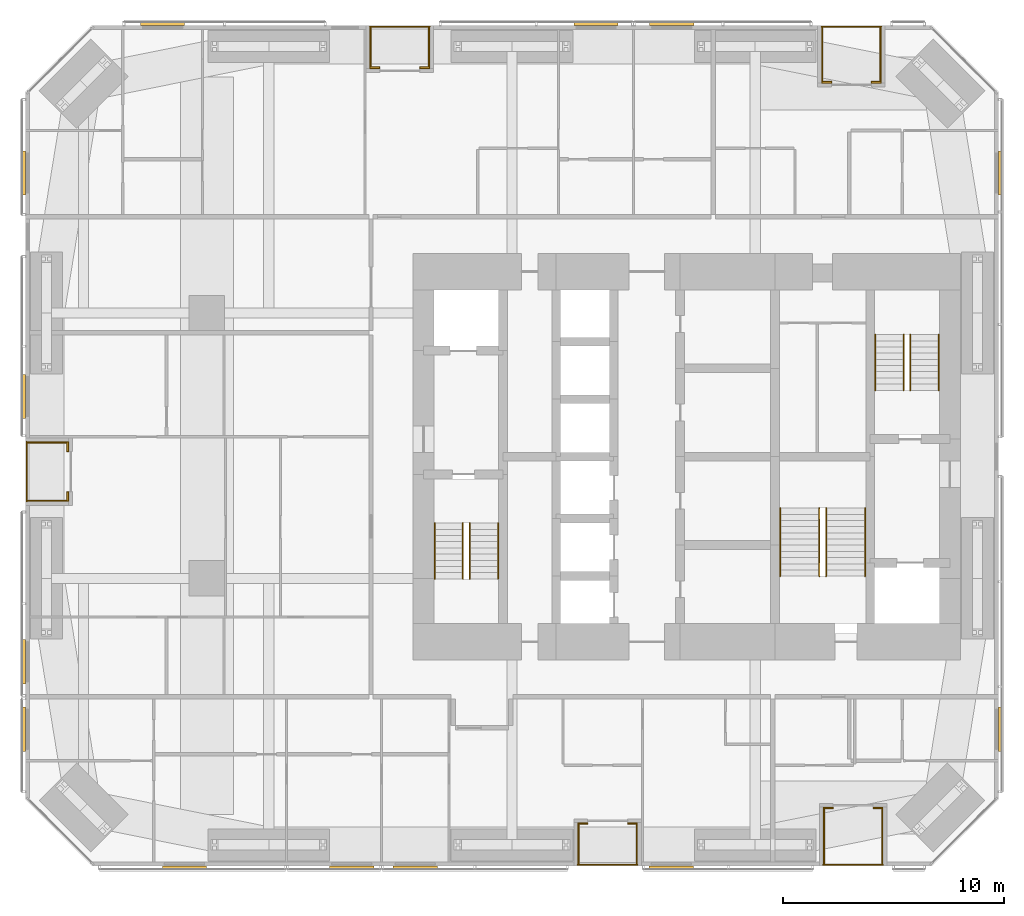
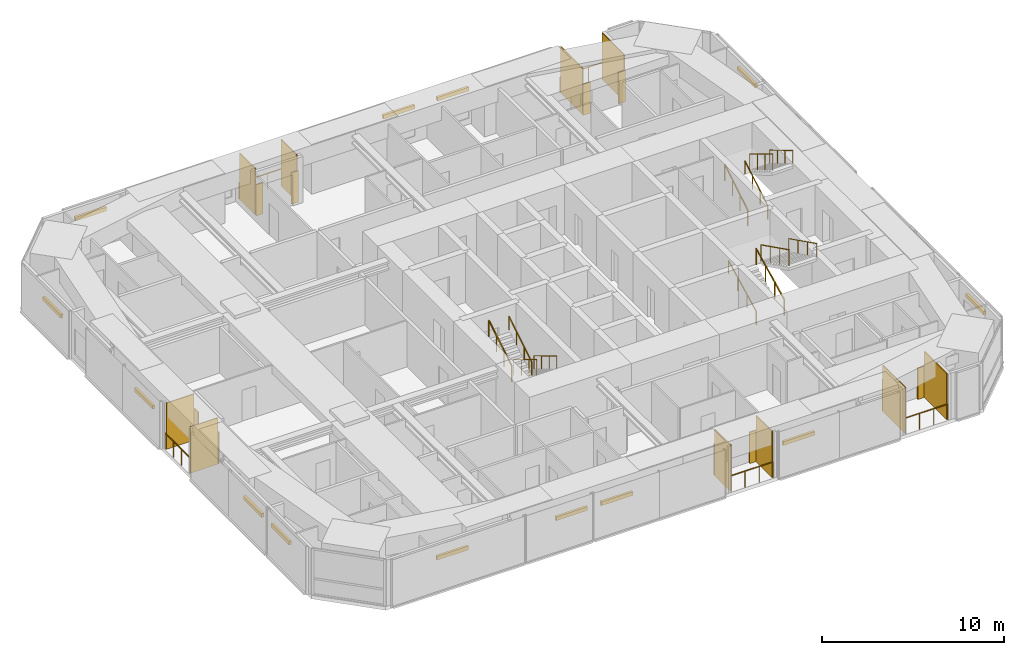
# One storey, part 24 of 24: 33 shading devices, 17 railings.
"""IFC4 building model written with IfcOpenShell, lengths in metres."""

import ifcopenshell
import ifcopenshell.guid

model = None  # the IFC model being written
_history = None  # IfcOwnerHistory: only IFC2X3 demands one
_inside = {}  # id of a spatial element -> (the spatial element, [elements in it])
_under = {}  # id of a project, library or spatial element -> (it, [spatial elements below it])
_declared = {}  # id of a project -> (the project, [libraries it declares])
_typed = {}  # id of a type object -> (the type object, [elements of that type])
_made_of = {}  # id of a material, layer set ... -> (it, [elements and type objects made of it])


def new_model(schema):
    """Start an empty IFC model of exactly this schema.

    Asked for "IFC4X3", IfcOpenShell would pick the latest addendum, in which some entities
    have other attributes; the version numbers below select the first issue.
    IFC2X3 requires an IfcOwnerHistory on every rooted entity: one is made here for all.
    """
    global model, _history
    if schema == "IFC4X3":
        model = ifcopenshell.file(schema_version=(4, 3, 0, 0))
    else:
        model = ifcopenshell.file(schema=schema)
    _inside.clear()
    _under.clear()
    _declared.clear()
    _typed.clear()
    _made_of.clear()
    _history = None
    if model.schema == "IFC2X3":
        org = make("IfcOrganization", Name="unknown")
        user = make(
            "IfcPersonAndOrganization",
            ThePerson=make("IfcPerson", FamilyName="unknown"),
            TheOrganization=org,
        )
        app = make(
            "IfcApplication",
            ApplicationDeveloper=org,
            Version="unknown",
            ApplicationFullName="unknown",
            ApplicationIdentifier="unknown",
        )
        _history = make(
            "IfcOwnerHistory",
            OwningUser=user,
            OwningApplication=app,
            ChangeAction="ADDED",
            CreationDate=0,
        )
    return model


def make(cls, **values):
    """One entity of the class cls with the attributes given. An attribute that is None is left unset."""
    return model.create_entity(
        cls, **{name: value for name, value in values.items() if value is not None}
    )


def rooted(cls, **values):
    """An entity with a GlobalId (a new one), such as an element, a storey or a relation."""
    return make(cls, GlobalId=ifcopenshell.guid.new(), OwnerHistory=_history, **values)


def si_unit(unit_type, name, prefix=None):
    """IfcSIUnit, for example si_unit("LENGTHUNIT", "METRE", prefix="MILLI")."""
    return make("IfcSIUnit", UnitType=unit_type, Prefix=prefix, Name=name)


def assignment(units):
    """IfcUnitAssignment: the units of a project."""
    return None if units is None else make("IfcUnitAssignment", Units=units)


def point(xyz):
    """IfcCartesianPoint."""
    return None if xyz is None else make("IfcCartesianPoint", Coordinates=xyz)


def direction(xyz):
    """IfcDirection."""
    return None if xyz is None else make("IfcDirection", DirectionRatios=xyz)


def frame(location, z_axis=None, x_axis=None):
    """IfcAxis2Placement3D, a coordinate frame: its origin and axes. An axis left out is left unset."""
    return make(
        "IfcAxis2Placement3D",
        Location=point(location),
        Axis=direction(z_axis),
        RefDirection=direction(x_axis),
    )


def frame_2d(location, x_axis=None):
    """IfcAxis2Placement2D, a coordinate frame in the plane: its origin and x axis."""
    return make(
        "IfcAxis2Placement2D", Location=point(location), RefDirection=direction(x_axis)
    )


def origin():
    """The frame at (0, 0, 0) with its axes left unset."""
    return frame((0.0, 0.0, 0.0))


def origin_2d():
    """The frame at (0, 0) in the plane with its x axis left unset."""
    return frame_2d((0.0, 0.0))


def place(relative_to, where):
    """IfcLocalPlacement: puts the frame where relative to a parent placement (None: the world)."""
    return make(
        "IfcLocalPlacement", PlacementRelTo=relative_to, RelativePlacement=where
    )


def context(
    kind, dimensions, precision=None, world=None, true_north=None, identifier=None
):
    """IfcGeometricRepresentationContext, for example the 3D "Model" context."""
    return make(
        "IfcGeometricRepresentationContext",
        ContextIdentifier=identifier,
        ContextType=kind,
        CoordinateSpaceDimension=dimensions,
        Precision=precision,
        WorldCoordinateSystem=world,
        TrueNorth=true_north,
    )


def subcontext(parent, identifier, kind, view, scale=None):
    """IfcGeometricRepresentationSubContext, for example "Body" below "Model"."""
    return make(
        "IfcGeometricRepresentationSubContext",
        ContextIdentifier=identifier,
        ContextType=kind,
        ParentContext=parent,
        TargetScale=scale,
        TargetView=view,
    )


def project(units=None, contexts=None):
    """IfcProject with its units and contexts."""
    return rooted(
        "IfcProject",
        Name="project",
        RepresentationContexts=contexts,
        UnitsInContext=assignment(units),
    )


def spatial(cls, under=None, at=None, **own):
    """A site, building, storey or space (cls), placed at a placement, below another one or the project."""
    s = rooted(cls, ObjectPlacement=at, **own)
    if under is not None:
        _under.setdefault(under.id(), (under, []))[1].append(s)
    return s


def profile(cls, at=None, kind="AREA", **sizes):
    """A parametric profile (cls). Its sizes go by their IFC names, for example OverallWidth=200.0."""
    return make(cls, ProfileType=kind, Position=at, **sizes)


def rectangle(**sizes):
    """IfcRectangleProfileDef."""
    return profile("IfcRectangleProfileDef", **sizes)


def circle(**sizes):
    """IfcCircleProfileDef."""
    return profile("IfcCircleProfileDef", **sizes)


def extrude(swept, where, along, depth):
    """IfcExtrudedAreaSolid: the profile swept, set in the frame where, extruded along a direction by depth."""
    return make(
        "IfcExtrudedAreaSolid",
        SweptArea=swept,
        Position=where,
        ExtrudedDirection=direction(along),
        Depth=depth,
    )


def shape(context_of_items, identifier, shape_type, items):
    """IfcShapeRepresentation: the items that make up one representation, for example the "Body"."""
    return make(
        "IfcShapeRepresentation",
        ContextOfItems=context_of_items,
        RepresentationIdentifier=identifier,
        RepresentationType=shape_type,
        Items=items,
    )


def material(Name=None, Category=None):
    """IfcMaterial."""
    return make("IfcMaterial", Name=Name, Category=Category)


def layer(
    of_material, thickness, ventilated=None, Name=None, Category=None, Priority=None
):
    """IfcMaterialLayer: one layer of a wall or slab, of a material (None: an air gap)."""
    return make(
        "IfcMaterialLayer",
        Material=of_material,
        LayerThickness=thickness,
        IsVentilated=ventilated,
        Name=Name,
        Category=Category,
        Priority=Priority,
    )


def layer_set(layers, Name=None):
    """IfcMaterialLayerSet."""
    return make("IfcMaterialLayerSet", MaterialLayers=layers, LayerSetName=Name)


def constituent(of_material, Name=None, Category=None, fraction=None):
    """IfcMaterialConstituent: one of the materials an element consists of."""
    return make(
        "IfcMaterialConstituent",
        Name=Name,
        Material=of_material,
        Fraction=fraction,
        Category=Category,
    )


def constituent_set(constituents=None, Name=None):
    """IfcMaterialConstituentSet."""
    return make(
        "IfcMaterialConstituentSet", Name=Name, MaterialConstituents=constituents
    )


def made_of(thing, what):
    """Note that an element or type object is made of a material, layer set ...; save() writes the relation."""
    if what is not None:
        _made_of.setdefault(what.id(), (what, []))[1].append(thing)
    return thing


def type_object(cls, material=None, **own):
    """A type object (cls), such as IfcWallType, which elements share."""
    return made_of(rooted(cls, **own), material)


def element(
    cls,
    number,
    at=None,
    inside=None,
    cuts=None,
    type_object=None,
    material=None,
    context=None,
    identifier="Body",
    shape_type=None,
    held_by="IfcProductDefinitionShape",
    body=None,
    shapes=None,
    **own,
):
    """One element of the class cls, such as IfcWall. Its Tag is "e" and its number.

    at: its placement. inside: the storey or other place that contains it. cuts: it is an
    opening in that element (IfcRelVoidsElement). A single representation is given by context,
    identifier, shape_type and body (its items); several are given by shapes. held_by: the class
    of the entity that holds the representations. save() writes the other relations.
    """
    e = rooted(cls, Tag="e%d" % number, ObjectPlacement=at, **own)
    if body is not None:
        shapes = [shape(context, identifier, shape_type, body)]
    if shapes is not None:
        e.Representation = make(held_by, Representations=shapes)
    if inside is not None:
        _inside.setdefault(inside.id(), (inside, []))[1].append(e)
    if cuts is not None:
        rooted(
            "IfcRelVoidsElement", RelatingBuildingElement=cuts, RelatedOpeningElement=e
        )
    if type_object is not None:
        _typed.setdefault(type_object.id(), (type_object, []))[1].append(e)
    return made_of(e, material)


def aggregate(whole, parts):
    """IfcRelAggregates: a whole, such as a stair, and the parts it consists of."""
    return rooted("IfcRelAggregates", RelatingObject=whole, RelatedObjects=parts)


def save(model, path):
    """Write the relations noted so far, then the file.

    IfcRelAggregates (storeys below a building ...), IfcRelContainedInSpatialStructure (elements
    in a storey), IfcRelDefinesByType, IfcRelAssociatesMaterial and IfcRelDeclares: one each for
    every whole, place, type object, material and project.
    """
    for whole, parts in _under.values():
        aggregate(whole, parts)
    for where, things in _inside.values():
        rooted(
            "IfcRelContainedInSpatialStructure",
            RelatedElements=things,
            RelatingStructure=where,
        )
    for kind, things in _typed.values():
        rooted("IfcRelDefinesByType", RelatedObjects=things, RelatingType=kind)
    for what, things in _made_of.values():
        rooted("IfcRelAssociatesMaterial", RelatedObjects=things, RelatingMaterial=what)
    for by, libraries in _declared.values():
        rooted("IfcRelDeclares", RelatingContext=by, RelatedDefinitions=libraries)
    model.write(path)


model = new_model("IFC4")

# Units and contexts
model_context = context("Model", 3, precision=1e-05, world=origin(), true_north=direction((0.0, 1.0)))
body_context = subcontext(model_context, "Body", "Model", "MODEL_VIEW")
ifc_project = project(units=[si_unit("LENGTHUNIT", "METRE"), si_unit("AREAUNIT", "SQUARE_METRE"), si_unit("VOLUMEUNIT", "CUBIC_METRE"), si_unit("PLANEANGLEUNIT", "RADIAN"), si_unit("MASSUNIT", "GRAM", prefix="KILO")], contexts=[model_context])

# Site, building, storey
site_placement = place(None, origin())
site = spatial("IfcSite", under=ifc_project, at=site_placement, CompositionType="ELEMENT")
building_placement = place(site_placement, origin())
building = spatial("IfcBuilding", under=site, at=building_placement, Name="Jalousie Tower", CompositionType="ELEMENT")
storey_placement = place(building_placement, frame((0.0, 0.0, 61.199951171875)))
storey = spatial("IfcBuildingStorey", under=building, at=storey_placement, Name="L16", CompositionType="ELEMENT", Elevation=61.199951171875)

# Shading devices
ifc_material_1 = material(Name="Aluminium impact-rated louvred storm shutter", Category="aluminium")
shading_device_type_1 = type_object("IfcShadingDeviceType", Name="BI-FOLD STORM SHUTTER 900x2100", PredefinedType="SHUTTER", material=ifc_material_1)
for number, where, z_axis, x_axis, name in (
    (1, (27.199951171875, 1.909912109375, 0.0), (0.0, 0.0, 1.0), (1.0, 0.0, 0.0), "Loggia storm shutter L16"),
    (2, (29.449951171875, 1.909912109375, 0.0), (0.0, 0.0, 1.0), (1.0, 0.0, 0.0), "Loggia storm shutter L16"),
    (3, (38.300048828125, 2.610107421875, 0.0), (0.0, 0.0, 1.0), (1.0, 0.0, 0.0), "Loggia storm shutter L16"),
    (4, (40.550048828125, 2.610107421875, 0.0), (0.0, 0.0, 1.0), (1.0, 0.0, 0.0), "Loggia storm shutter L16"),
    (5, (40.4736328125, 35.43994140625, 0.0), (0.0, 0.0, 1.0), (-1.0, 0.0, 0.0), "Loggia storm shutter L16"),
    (6, (38.2236328125, 35.43994140625, 0.0), (0.0, 0.0, 1.0), (-1.0, 0.0, 0.0), "Loggia storm shutter L16"),
    (7, (20.050048828125, 36.090087890625, 0.0), (0.0, 0.0, 1.0), (-1.0, 0.0, 0.0), "Loggia storm shutter L16"),
    (8, (17.800048828125, 36.090087890625, 0.0), (0.0, 0.0, 1.0), (-1.0, 0.0, 0.0), "Loggia storm shutter L16"),
    (9, (3.909912109375, 18.949951171875, 0.0), (0.0, 0.0, 1.0), (0.0, -1.0, 0.0), "Loggia storm shutter L16"),
    (10, (3.909912109375, 16.699951171875, 0.0), (0.0, 0.0, 1.0), (0.0, -1.0, 0.0), "Loggia storm shutter L16"),
):
    element("IfcShadingDevice", number, at=place(storey_placement, frame(where, z_axis=z_axis, x_axis=x_axis)), inside=storey, type_object=shading_device_type_1, Name=name, PredefinedType="SHUTTER", context=body_context, shape_type="SweptSolid", body=[
        extrude(rectangle(XDim=0.449951171875, YDim=0.080078125, at=origin_2d()), origin(), (0.0, 0.0, 1.0), 2.10009765625),
    ])

# Railings
ifc_material_2 = material(Name="Powder-coated aluminium fretwork", Category="aluminium")
railing_type_1 = type_object("IfcRailingType", Name="FRETWORK BALUSTRADE 1100", PredefinedType="BALUSTRADE", material=ifc_material_2)
for number, where, name in (
    (11, (26.97509765625, 0.050048828125, 0.0), "Loggia fretwork balustrade L16"),
    (12, (38.074951171875, 0.050048828125, 0.0), "Loggia fretwork balustrade L16"),
):
    element("IfcRailing", number, at=place(storey_placement, frame(where)), inside=storey, type_object=railing_type_1, Name=name, PredefinedType="BALUSTRADE", context=body_context, shape_type="SweptSolid", body=[
        extrude(rectangle(XDim=0.048095703125, YDim=0.048095703125, at=origin_2d()), frame((0.0, 0.0, 1.076171875), z_axis=(1.0, 0.0, 0.0), x_axis=(0.0, 1.0, 0.0)), (0.0, 0.0, 1.0), 2.699951171875),
        extrude(circle(Radius=0.02099609375, at=origin_2d()), origin(), (0.0, 0.0, 1.0), 1.052001953125),
        extrude(circle(Radius=0.02099609375, at=origin_2d()), frame((0.89990234375, 0.0, 0.0)), (0.0, 0.0, 1.0), 1.052001953125),
        extrude(circle(Radius=0.02099609375, at=origin_2d()), frame((1.800048828125, 0.0, 0.0)), (0.0, 0.0, 1.0), 1.052001953125),
        extrude(circle(Radius=0.02099609375, at=origin_2d()), frame((2.699951171875, 0.0, 0.0)), (0.0, 0.0, 1.0), 1.052001953125),
    ])
for number, where, name in (
    (13, (40.69873046875, 37.949951171875, 0.0), "Loggia fretwork balustrade L16"),
    (14, (20.27490234375, 37.949951171875, 0.0), "Loggia fretwork balustrade L16"),
):
    element("IfcRailing", number, at=place(storey_placement, frame(where)), inside=storey, type_object=railing_type_1, Name=name, PredefinedType="BALUSTRADE", context=body_context, shape_type="SweptSolid", body=[
        extrude(rectangle(XDim=0.048095703125, YDim=0.048095703125, at=origin_2d()), frame((0.0, 0.0, 1.076171875), z_axis=(-1.0, 0.0, 0.0), x_axis=(0.0, -1.0, 0.0)), (0.0, 0.0, 1.0), 2.699951171875),
        extrude(circle(Radius=0.02099609375, at=origin_2d()), origin(), (0.0, 0.0, 1.0), 1.052001953125),
        extrude(circle(Radius=0.02099609375, at=origin_2d()), frame((-0.89990234375, 0.0, 0.0)), (0.0, 0.0, 1.0), 1.052001953125),
        extrude(circle(Radius=0.02099609375, at=origin_2d()), frame((-1.800048828125, 0.0, 0.0)), (0.0, 0.0, 1.0), 1.052001953125),
        extrude(circle(Radius=0.02099609375, at=origin_2d()), frame((-2.699951171875, 0.0, 0.0)), (0.0, 0.0, 1.0), 1.052001953125),
    ])
railing_1_placement = place(storey_placement, frame((2.050048828125, 19.175048828125, 0.0)))
element("IfcRailing", 15, at=railing_1_placement, inside=storey, type_object=railing_type_1, Name="Loggia fretwork balustrade L16", PredefinedType="BALUSTRADE", context=body_context, shape_type="SweptSolid", body=[
    extrude(rectangle(XDim=0.048095703125, YDim=0.048095703125, at=origin_2d()), frame((0.0, 0.0, 1.076171875), z_axis=(0.0, -1.0, 0.0), x_axis=(1.0, 0.0, 0.0)), (0.0, 0.0, 1.0), 2.699951171875),
    extrude(circle(Radius=0.02099609375, at=origin_2d()), origin(), (0.0, 0.0, 1.0), 1.052001953125),
    extrude(circle(Radius=0.02099609375, at=origin_2d()), frame((0.0, -0.89990234375, 0.0)), (0.0, 0.0, 1.0), 1.052001953125),
    extrude(circle(Radius=0.02099609375, at=origin_2d()), frame((0.0, -1.800048828125, 0.0)), (0.0, 0.0, 1.0), 1.052001953125),
    extrude(circle(Radius=0.02099609375, at=origin_2d()), frame((0.0, -2.699951171875, 0.0)), (0.0, 0.0, 1.0), 1.052001953125),
])

# Shading devices
ifc_material_3 = material(Name="Powder-coated aluminium louvres", Category="aluminium")
ifc_layer = layer(ifc_material_3, 0.06005859375)
ifc_layer_set = layer_set([ifc_layer], Name="Powder-coated aluminium louvres")
shading_device_type_2 = type_object("IfcShadingDeviceType", Name="JALOUSIE LOUVRE SCREEN", PredefinedType="JALOUSIE", material=ifc_layer_set)
for number, where, z_axis, x_axis, name in (
    (16, (27.0048828125, 0.97509765625, 0.0), (0.0, 0.0, 1.0), (1.0, 0.0, 0.0), "Loggia jalousie louvre screen L16"),
    (17, (29.64501953125, 0.97509765625, 0.0), (0.0, 0.0, 1.0), (1.0, 0.0, 0.0), "Loggia jalousie louvre screen L16"),
):
    element("IfcShadingDevice", number, at=place(storey_placement, frame(where, z_axis=z_axis, x_axis=x_axis)), inside=storey, type_object=shading_device_type_2, Name=name, PredefinedType="JALOUSIE", context=body_context, shape_type="SweptSolid", body=[
        extrude(rectangle(XDim=0.06005859375, YDim=1.75, at=origin_2d()), origin(), (0.0, 0.0, 1.0), 3.110107421875),
    ])
for number, where, z_axis, x_axis, name in (
    (18, (38.10498046875, 1.324951171875, 0.0), (0.0, 0.0, 1.0), (1.0, 0.0, 0.0), "Loggia jalousie louvre screen L16"),
    (19, (40.7451171875, 1.324951171875, 0.0), (0.0, 0.0, 1.0), (1.0, 0.0, 0.0), "Loggia jalousie louvre screen L16"),
):
    element("IfcShadingDevice", number, at=place(storey_placement, frame(where, z_axis=z_axis, x_axis=x_axis)), inside=storey, type_object=shading_device_type_2, Name=name, PredefinedType="JALOUSIE", context=body_context, shape_type="SweptSolid", body=[
        extrude(rectangle(XDim=0.06005859375, YDim=2.449951171875, at=origin_2d()), origin(), (0.0, 0.0, 1.0), 3.110107421875),
    ])
for number, where, z_axis, x_axis, name in (
    (20, (40.668701171875, 36.699951171875, 0.0), (0.0, 0.0, 1.0), (-1.0, 0.0, 0.0), "Loggia jalousie louvre screen L16"),
    (21, (38.02880859375, 36.699951171875, 0.0), (0.0, 0.0, 1.0), (-1.0, 0.0, 0.0), "Loggia jalousie louvre screen L16"),
):
    element("IfcShadingDevice", number, at=place(storey_placement, frame(where, z_axis=z_axis, x_axis=x_axis)), inside=storey, type_object=shading_device_type_2, Name=name, PredefinedType="JALOUSIE", context=body_context, shape_type="SweptSolid", body=[
        extrude(rectangle(XDim=0.06005859375, YDim=2.39990234375, at=origin_2d()), origin(), (0.0, 0.0, 1.0), 3.110107421875),
    ])
for number, where, z_axis, x_axis, name in (
    (22, (20.2451171875, 37.02490234375, 0.0), (0.0, 0.0, 1.0), (-1.0, 0.0, 0.0), "Loggia jalousie louvre screen L16"),
    (23, (17.60498046875, 37.02490234375, 0.0), (0.0, 0.0, 1.0), (-1.0, 0.0, 0.0), "Loggia jalousie louvre screen L16"),
    (24, (2.97509765625, 19.14501953125, 0.0), (0.0, 0.0, 1.0), (0.0, -1.0, 0.0), "Loggia jalousie louvre screen L16"),
    (25, (2.97509765625, 16.5048828125, 0.0), (0.0, 0.0, 1.0), (0.0, -1.0, 0.0), "Loggia jalousie louvre screen L16"),
):
    element("IfcShadingDevice", number, at=place(storey_placement, frame(where, z_axis=z_axis, x_axis=x_axis)), inside=storey, type_object=shading_device_type_2, Name=name, PredefinedType="JALOUSIE", context=body_context, shape_type="SweptSolid", body=[
        extrude(rectangle(XDim=0.06005859375, YDim=1.75, at=origin_2d()), origin(), (0.0, 0.0, 1.0), 3.110107421875),
    ])

# Railings
ifc_material_4 = material(Name="Steel ASTM A500 Grade C", Category="steel")
ifc_constituent_1 = constituent(ifc_material_4, Name="Body")
ifc_material_5 = material(Name="Hot-dip galvanised zinc coating")
ifc_constituent_2 = constituent(ifc_material_5, Name="Finish")
ifc_constituent_set_1 = constituent_set(constituents=[ifc_constituent_1, ifc_constituent_2])
railing_type_2 = type_object("IfcRailingType", Name="STAIR GUARD 1100", PredefinedType="GUARDRAIL", material=ifc_constituent_set_1)
railing_2_placement = place(storey_placement, frame((22.092529296875, 15.49755859375, 0.16748046875)))
element("IfcRailing", 26, at=railing_2_placement, inside=storey, type_object=railing_type_2, Name="Exit stair A guard L16 flight 1", PredefinedType="GUARDRAIL", context=body_context, shape_type="SweptSolid", body=[
    extrude(rectangle(XDim=0.048095703125, YDim=0.048095703125, at=origin_2d()), frame((0.0, 0.0, 1.076171875), z_axis=(0.0, -0.858159760407, 0.513382728203), x_axis=(1.0, 0.0, 0.0)), (0.0, 0.0, 1.0), 2.9365234375),
    extrude(circle(Radius=0.02099609375, at=origin_2d()), origin(), (0.0, 0.0, 1.0), 1.052001953125),
    extrude(circle(Radius=0.02099609375, at=origin_2d()), frame((0.0, -0.840087890625, 0.50244140625)), (0.0, 0.0, 1.0), 1.052001953125),
    extrude(circle(Radius=0.02099609375, at=origin_2d()), frame((0.0, -1.679931640625, 1.005126953125)), (0.0, 0.0, 1.0), 1.052001953125),
    extrude(circle(Radius=0.02099609375, at=origin_2d()), frame((0.0, -2.52001953125, 1.507568359375)), (0.0, 0.0, 1.0), 1.052001953125),
])
for number, where, name in (
    (27, (20.5048828125, 12.9775390625, 1.842529296875), "Exit stair A guard L16 flight 2"),
    (28, (40.43017578125, 21.50244140625, 0.16748046875), "Exit stair B guard L16 flight 1"),
):
    element("IfcRailing", number, at=place(storey_placement, frame(where)), inside=storey, type_object=railing_type_2, Name=name, PredefinedType="GUARDRAIL", context=body_context, shape_type="SweptSolid", body=[
        extrude(rectangle(XDim=0.048095703125, YDim=0.048095703125, at=origin_2d()), frame((0.0, 0.0, 1.076171875), z_axis=(0.0, 0.858159760407, 0.513382728203), x_axis=(-1.0, 0.0, 0.0)), (0.0, 0.0, 1.0), 2.9365234375),
        extrude(circle(Radius=0.02099609375, at=origin_2d()), origin(), (0.0, 0.0, 1.0), 1.052001953125),
        extrude(circle(Radius=0.02099609375, at=origin_2d()), frame((0.0, 0.840087890625, 0.50244140625)), (0.0, 0.0, 1.0), 1.052001953125),
        extrude(circle(Radius=0.02099609375, at=origin_2d()), frame((0.0, 1.679931640625, 1.005126953125)), (0.0, 0.0, 1.0), 1.052001953125),
        extrude(circle(Radius=0.02099609375, at=origin_2d()), frame((0.0, 2.52001953125, 1.507568359375)), (0.0, 0.0, 1.0), 1.052001953125),
    ])
railing_3_placement = place(storey_placement, frame((42.017578125, 24.0224609375, 1.842529296875)))
element("IfcRailing", 29, at=railing_3_placement, inside=storey, type_object=railing_type_2, Name="Exit stair B guard L16 flight 2", PredefinedType="GUARDRAIL", context=body_context, shape_type="SweptSolid", body=[
    extrude(rectangle(XDim=0.048095703125, YDim=0.048095703125, at=origin_2d()), frame((0.0, 0.0, 1.076171875), z_axis=(0.0, -0.858159760407, 0.513382728203), x_axis=(1.0, 0.0, 0.0)), (0.0, 0.0, 1.0), 2.9365234375),
    extrude(circle(Radius=0.02099609375, at=origin_2d()), origin(), (0.0, 0.0, 1.0), 1.052001953125),
    extrude(circle(Radius=0.02099609375, at=origin_2d()), frame((0.0, -0.840087890625, 0.50244140625)), (0.0, 0.0, 1.0), 1.052001953125),
    extrude(circle(Radius=0.02099609375, at=origin_2d()), frame((0.0, -1.679931640625, 1.005126953125)), (0.0, 0.0, 1.0), 1.052001953125),
    extrude(circle(Radius=0.02099609375, at=origin_2d()), frame((0.0, -2.52001953125, 1.507568359375)), (0.0, 0.0, 1.0), 1.052001953125),
])
railing_4_placement = place(storey_placement, frame((37.89501953125, 13.097412109375, 0.1396484375)))
element("IfcRailing", 30, at=railing_4_placement, inside=storey, type_object=railing_type_2, Name="Exit stair C guard L16 flight 1", PredefinedType="GUARDRAIL", context=body_context, shape_type="SweptSolid", body=[
    extrude(rectangle(XDim=0.048095703125, YDim=0.048095703125, at=origin_2d()), frame((0.0, 0.0, 1.076171875), z_axis=(0.0, 0.894965676997, 0.446134998624), x_axis=(-1.0, 0.0, 0.0)), (0.0, 0.0, 1.0), 3.441650390625),
    extrude(circle(Radius=0.02099609375, at=origin_2d()), origin(), (0.0, 0.0, 1.0), 1.052001953125),
    extrude(circle(Radius=0.02099609375, at=origin_2d()), frame((0.0, 1.026611328125, 0.51171875)), (0.0, 0.0, 1.0), 1.052001953125),
    extrude(circle(Radius=0.02099609375, at=origin_2d()), frame((0.0, 2.053466796875, 1.023681640625)), (0.0, 0.0, 1.0), 1.052001953125),
    extrude(circle(Radius=0.02099609375, at=origin_2d()), frame((0.0, 3.080078125, 1.535400390625)), (0.0, 0.0, 1.0), 1.052001953125),
])
railing_5_placement = place(storey_placement, frame((38.205078125, 16.177490234375, 1.814697265625)))
element("IfcRailing", 31, at=railing_5_placement, inside=storey, type_object=railing_type_2, Name="Exit stair C guard L16 flight 2", PredefinedType="GUARDRAIL", context=body_context, shape_type="SweptSolid", body=[
    extrude(rectangle(XDim=0.048095703125, YDim=0.048095703125, at=origin_2d()), frame((0.0, 0.0, 1.076171875), z_axis=(0.0, -0.894965676997, 0.446134998624), x_axis=(1.0, 0.0, 0.0)), (0.0, 0.0, 1.0), 3.441650390625),
    extrude(circle(Radius=0.02099609375, at=origin_2d()), origin(), (0.0, 0.0, 1.0), 1.052001953125),
    extrude(circle(Radius=0.02099609375, at=origin_2d()), frame((0.0, -1.026611328125, 0.51171875)), (0.0, 0.0, 1.0), 1.052001953125),
    extrude(circle(Radius=0.02099609375, at=origin_2d()), frame((0.0, -2.053466796875, 1.023681640625)), (0.0, 0.0, 1.0), 1.052001953125),
    extrude(circle(Radius=0.02099609375, at=origin_2d()), frame((0.0, -3.080078125, 1.535400390625)), (0.0, 0.0, 1.0), 1.052001953125),
])
ifc_material_6 = material(Name="Steel ASTM A500 Grade C", Category="steel")
ifc_constituent_3 = constituent(ifc_material_6, Name="Body")
ifc_material_7 = material(Name="Hot-dip galvanised zinc coating")
ifc_constituent_4 = constituent(ifc_material_7, Name="Finish")
ifc_constituent_set_2 = constituent_set(constituents=[ifc_constituent_3, ifc_constituent_4])
railing_type_3 = type_object("IfcRailingType", Name="STAIR HANDRAIL 900", PredefinedType="HANDRAIL", material=ifc_constituent_set_2)
railing_6_placement = place(storey_placement, frame((23.3701171875, 15.49755859375, 0.16748046875)))
element("IfcRailing", 32, at=railing_6_placement, inside=storey, type_object=railing_type_3, Name="Exit stair A handrail L16 flight 1", PredefinedType="HANDRAIL", context=body_context, shape_type="SweptSolid", body=[
    extrude(circle(Radius=0.02392578125, at=origin_2d()), frame((0.0, 0.0, 0.8759765625), z_axis=(0.0, -0.858159760407, 0.513382728203), x_axis=(1.0, 0.0, 0.0)), (0.0, 0.0, 1.0), 2.9365234375),
    extrude(circle(Radius=0.02099609375, at=origin_2d()), origin(), (0.0, 0.0, 1.0), 0.851806640625),
    extrude(circle(Radius=0.02099609375, at=origin_2d()), frame((0.0, -0.840087890625, 0.50244140625)), (0.0, 0.0, 1.0), 0.851806640625),
    extrude(circle(Radius=0.02099609375, at=origin_2d()), frame((0.0, -1.679931640625, 1.005126953125)), (0.0, 0.0, 1.0), 0.851806640625),
    extrude(circle(Radius=0.02099609375, at=origin_2d()), frame((0.0, -2.52001953125, 1.507568359375)), (0.0, 0.0, 1.0), 0.851806640625),
])
for number, where, name in (
    (33, (21.78271484375, 12.9775390625, 1.842529296875), "Exit stair A handrail L16 flight 2"),
    (34, (41.70751953125, 21.50244140625, 0.16748046875), "Exit stair B handrail L16 flight 1"),
):
    element("IfcRailing", number, at=place(storey_placement, frame(where)), inside=storey, type_object=railing_type_3, Name=name, PredefinedType="HANDRAIL", context=body_context, shape_type="SweptSolid", body=[
        extrude(circle(Radius=0.02392578125, at=origin_2d()), frame((0.0, 0.0, 0.8759765625), z_axis=(0.0, 0.858159760407, 0.513382728203), x_axis=(-1.0, 0.0, 0.0)), (0.0, 0.0, 1.0), 2.9365234375),
        extrude(circle(Radius=0.02099609375, at=origin_2d()), origin(), (0.0, 0.0, 1.0), 0.851806640625),
        extrude(circle(Radius=0.02099609375, at=origin_2d()), frame((0.0, 0.840087890625, 0.50244140625)), (0.0, 0.0, 1.0), 0.851806640625),
        extrude(circle(Radius=0.02099609375, at=origin_2d()), frame((0.0, 1.679931640625, 1.005126953125)), (0.0, 0.0, 1.0), 0.851806640625),
        extrude(circle(Radius=0.02099609375, at=origin_2d()), frame((0.0, 2.52001953125, 1.507568359375)), (0.0, 0.0, 1.0), 0.851806640625),
    ])
railing_7_placement = place(storey_placement, frame((43.294921875, 24.0224609375, 1.842529296875)))
element("IfcRailing", 35, at=railing_7_placement, inside=storey, type_object=railing_type_3, Name="Exit stair B handrail L16 flight 2", PredefinedType="HANDRAIL", context=body_context, shape_type="SweptSolid", body=[
    extrude(circle(Radius=0.02392578125, at=origin_2d()), frame((0.0, 0.0, 0.8759765625), z_axis=(0.0, -0.858159760407, 0.513382728203), x_axis=(1.0, 0.0, 0.0)), (0.0, 0.0, 1.0), 2.9365234375),
    extrude(circle(Radius=0.02099609375, at=origin_2d()), origin(), (0.0, 0.0, 1.0), 0.851806640625),
    extrude(circle(Radius=0.02099609375, at=origin_2d()), frame((0.0, -0.840087890625, 0.50244140625)), (0.0, 0.0, 1.0), 0.851806640625),
    extrude(circle(Radius=0.02099609375, at=origin_2d()), frame((0.0, -1.679931640625, 1.005126953125)), (0.0, 0.0, 1.0), 0.851806640625),
    extrude(circle(Radius=0.02099609375, at=origin_2d()), frame((0.0, -2.52001953125, 1.507568359375)), (0.0, 0.0, 1.0), 0.851806640625),
])
railing_8_placement = place(storey_placement, frame((36.1298828125, 13.097412109375, 0.1396484375)))
element("IfcRailing", 36, at=railing_8_placement, inside=storey, type_object=railing_type_3, Name="Exit stair C handrail L16 flight 1", PredefinedType="HANDRAIL", context=body_context, shape_type="SweptSolid", body=[
    extrude(circle(Radius=0.02392578125, at=origin_2d()), frame((0.0, 0.0, 0.8759765625), z_axis=(0.0, 0.894965676997, 0.446134998624), x_axis=(-1.0, 0.0, 0.0)), (0.0, 0.0, 1.0), 3.441650390625),
    extrude(circle(Radius=0.02099609375, at=origin_2d()), origin(), (0.0, 0.0, 1.0), 0.851806640625),
    extrude(circle(Radius=0.02099609375, at=origin_2d()), frame((0.0, 1.026611328125, 0.51171875)), (0.0, 0.0, 1.0), 0.851806640625),
    extrude(circle(Radius=0.02099609375, at=origin_2d()), frame((0.0, 2.053466796875, 1.023681640625)), (0.0, 0.0, 1.0), 0.851806640625),
    extrude(circle(Radius=0.02099609375, at=origin_2d()), frame((0.0, 3.080078125, 1.535400390625)), (0.0, 0.0, 1.0), 0.851806640625),
])
railing_9_placement = place(storey_placement, frame((39.969970703125, 16.177490234375, 1.814697265625)))
element("IfcRailing", 37, at=railing_9_placement, inside=storey, type_object=railing_type_3, Name="Exit stair C handrail L16 flight 2", PredefinedType="HANDRAIL", context=body_context, shape_type="SweptSolid", body=[
    extrude(circle(Radius=0.02392578125, at=origin_2d()), frame((0.0, 0.0, 0.8759765625), z_axis=(0.0, -0.894965676997, 0.446134998624), x_axis=(1.0, 0.0, 0.0)), (0.0, 0.0, 1.0), 3.441650390625),
    extrude(circle(Radius=0.02099609375, at=origin_2d()), origin(), (0.0, 0.0, 1.0), 0.851806640625),
    extrude(circle(Radius=0.02099609375, at=origin_2d()), frame((0.0, -1.026611328125, 0.51171875)), (0.0, 0.0, 1.0), 0.851806640625),
    extrude(circle(Radius=0.02099609375, at=origin_2d()), frame((0.0, -2.053466796875, 1.023681640625)), (0.0, 0.0, 1.0), 0.851806640625),
    extrude(circle(Radius=0.02099609375, at=origin_2d()), frame((0.0, -3.080078125, 1.535400390625)), (0.0, 0.0, 1.0), 0.851806640625),
])

# Shading devices
ifc_material_8 = material(Name="Aluminium roller storm shutter", Category="aluminium")
shading_device_type_3 = type_object("IfcShadingDeviceType", Name="STORM SHUTTER HOUSING", PredefinedType="SHUTTER", material=ifc_material_8)
for number, where, z_axis, x_axis, name in (
    (38, (9.18505859375, -0.074951171875, 2.10009765625), (0.0, 0.0, 1.0), (1.0, 0.0, 0.0), "Storm shutter L16"),
    (39, (16.757568359375, -0.074951171875, 2.10009765625), (0.0, 0.0, 1.0), (1.0, 0.0, 0.0), "Storm shutter L16"),
    (40, (19.625, -0.074951171875, 2.10009765625), (0.0, 0.0, 1.0), (1.0, 0.0, 0.0), "Storm shutter L16"),
    (41, (31.199951171875, -0.074951171875, 2.10009765625), (0.0, 0.0, 1.0), (1.0, 0.0, 0.0), "Storm shutter L16"),
    (42, (46.074951171875, 6.17333984375, 2.10009765625), (0.0, 0.0, 1.0), (0.0, 1.0, 0.0), "Storm shutter L16"),
    (43, (46.074951171875, 31.32666015625, 2.10009765625), (0.0, 0.0, 1.0), (0.0, 1.0, 0.0), "Storm shutter L16"),
    (44, (31.22509765625, 38.074951171875, 2.10009765625), (0.0, 0.0, 1.0), (-1.0, 0.0, 0.0), "Storm shutter L16"),
    (45, (27.800048828125, 38.074951171875, 2.10009765625), (0.0, 0.0, 1.0), (-1.0, 0.0, 0.0), "Storm shutter L16"),
    (46, (8.199951171875, 38.074951171875, 2.10009765625), (0.0, 0.0, 1.0), (-1.0, 0.0, 0.0), "Storm shutter L16"),
    (47, (1.925048828125, 31.32666015625, 2.10009765625), (0.0, 0.0, 1.0), (0.0, -1.0, 0.0), "Storm shutter L16"),
    (48, (1.925048828125, 21.22509765625, 2.10009765625), (0.0, 0.0, 1.0), (0.0, -1.0, 0.0), "Storm shutter L16"),
    (49, (1.925048828125, 9.22509765625, 2.10009765625), (0.0, 0.0, 1.0), (0.0, -1.0, 0.0), "Storm shutter L16"),
    (50, (1.925048828125, 6.17333984375, 2.10009765625), (0.0, 0.0, 1.0), (0.0, -1.0, 0.0), "Storm shutter L16"),
):
    element("IfcShadingDevice", number, at=place(storey_placement, frame(where, z_axis=z_axis, x_axis=x_axis)), inside=storey, type_object=shading_device_type_3, Name=name, PredefinedType="SHUTTER", context=body_context, shape_type="SweptSolid", body=[
        extrude(rectangle(XDim=2.0, YDim=0.14990234375, at=origin_2d()), origin(), (0.0, 0.0, 1.0), 0.25),
    ])

save(model, "model.ifc")
